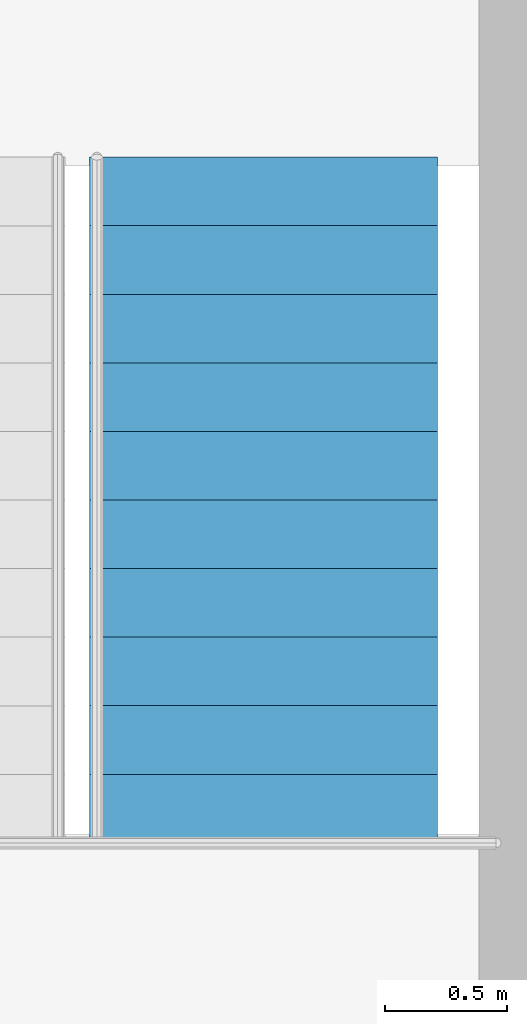
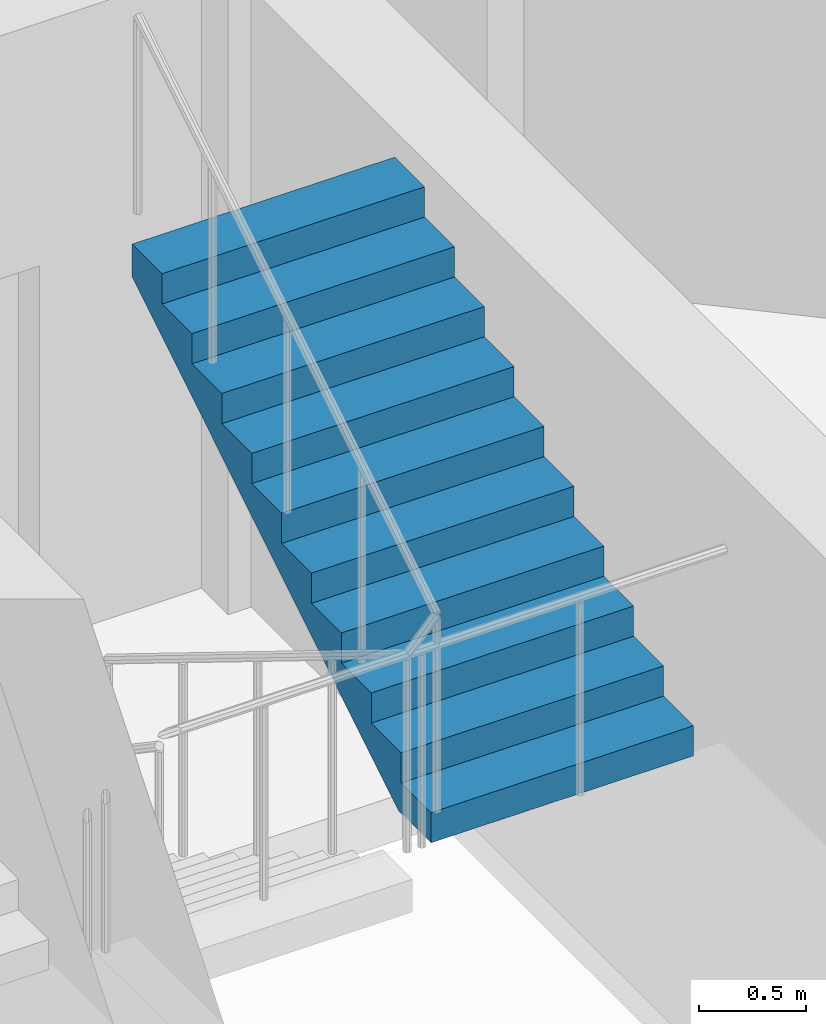
# One storey, part 23 of 24: 1 stair flight, 1 element without a shape of its own.
"""IFC4 building model written with IfcOpenShell, lengths in metres."""

from ifc_helpers import new_model, si_unit, direction, frame, origin, place, context, subcontext, project, spatial, polyline, outline, extrude, material, type_object, element, aggregate, save


model = new_model("IFC4")

# Units and contexts
model_context = context("Model", 3, precision=1e-05, world=origin(), true_north=direction((0.0, 1.0)))
body_context = subcontext(model_context, "Body", "Model", "MODEL_VIEW")
ifc_project = project(units=[si_unit("LENGTHUNIT", "METRE"), si_unit("AREAUNIT", "SQUARE_METRE"), si_unit("VOLUMEUNIT", "CUBIC_METRE"), si_unit("PLANEANGLEUNIT", "RADIAN"), si_unit("MASSUNIT", "GRAM", prefix="KILO")], contexts=[model_context])

# Site, building, storey
site_placement = place(None, origin())
site = spatial("IfcSite", under=ifc_project, at=site_placement, CompositionType="ELEMENT")
building_placement = place(site_placement, origin())
building = spatial("IfcBuilding", under=site, at=building_placement, Name="Nuhasar Tower", CompositionType="ELEMENT")
storey_placement = place(building_placement, frame((0.0, 0.0, 282.199951171875)))
storey = spatial("IfcBuildingStorey", under=building, at=storey_placement, Name="L70", CompositionType="ELEMENT", Elevation=282.199951171875)

# Stair, stair flight
ifc_material = material(Name="Concrete C45/55", Category="concrete")
stair_type = type_object("IfcStairType", Name="STR-ST-02-2F-22R-1727", PredefinedType="HALF_TURN_STAIR", material=ifc_material)
stair_placement = place(storey_placement, origin())
stair = element("IfcStair", 1, at=stair_placement, inside=storey, type_object=stair_type, Name="L70 Exit Stair ST-02", PredefinedType="HALF_TURN_STAIR")
stair_flight_type = type_object("IfcStairFlightType", Name="SFL-ST-02-11R-1727", PredefinedType="STRAIGHT", material=ifc_material)
stair_flight_placement = place(storey_placement, frame((43.169921875, 32.485107421875, 1.900146484375), z_axis=(0.0, 0.0, 1.0), x_axis=(0.0, 1.0, 0.0)))
stair_flight = element("IfcStairFlight", 2, at=stair_flight_placement, type_object=stair_flight_type, Name="ST-02 flight 2", NumberOfRisers=11, NumberOfTreads=10, PredefinedType="STRAIGHT", RiserHeight=0.172727, TreadLength=0.28, context=body_context, shape_type="SweptSolid", body=[
    extrude(outline(polyline([(0.0, 0.0), (0.0, 0.172607421875), (0.280029296875, 0.172607421875), (0.280029296875, 0.345458984375), (0.56005859375, 0.345458984375), (0.56005859375, 0.51806640625), (0.840087890625, 0.51806640625), (0.840087890625, 0.69091796875), (1.1201171875, 0.69091796875), (1.1201171875, 0.863525390625), (1.39990234375, 0.863525390625), (1.39990234375, 1.036376953125), (1.679931640625, 1.036376953125), (1.679931640625, 1.208984375), (1.9599609375, 1.208984375), (1.9599609375, 1.3818359375), (2.239990234375, 1.3818359375), (2.239990234375, 1.554443359375), (2.52001953125, 1.554443359375), (2.52001953125, 1.727294921875), (2.800048828125, 1.727294921875), (2.800048828125, 1.89990234375), (2.800048828125, 1.539306640625), (0.3046875, 0.0), (0.0, 0.0)])), frame((0.0, 0.7099609375, 0.0), z_axis=(0.0, -1.0, 0.0), x_axis=(1.0, 0.0, 0.0)), (0.0, 0.0, 1.0), 1.419921875),
])
aggregate(stair, [stair_flight])

save(model, "model.ifc")
